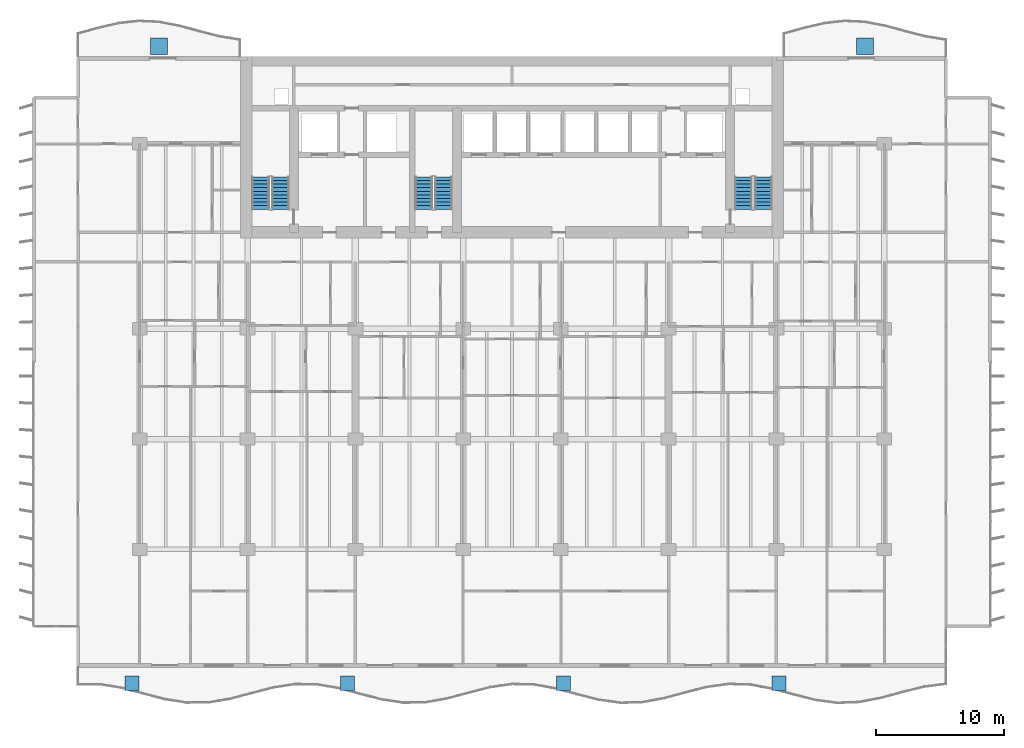
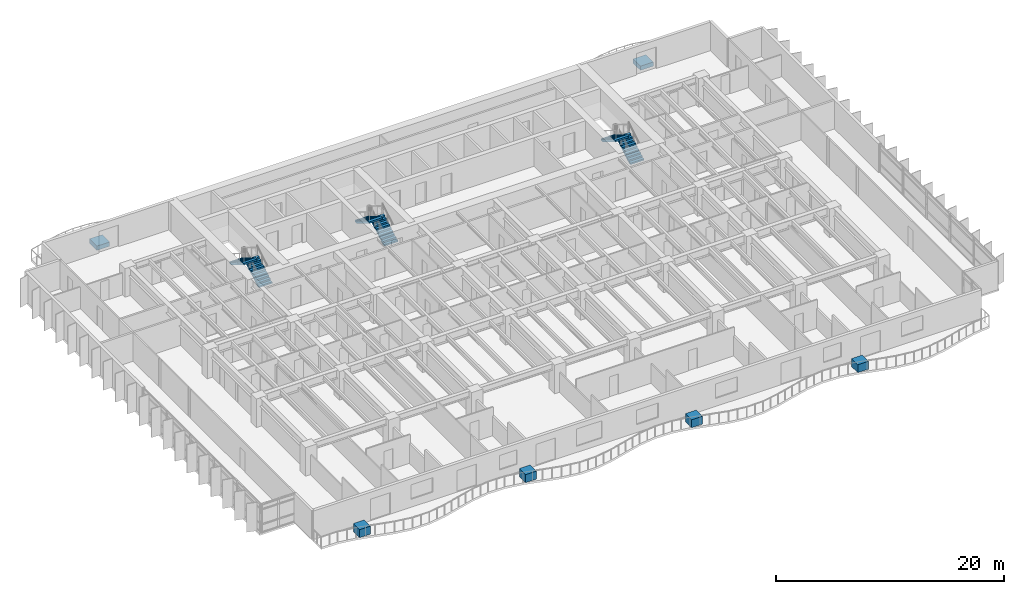
# One storey, part 13 of 17: 6 discrete accessories, 6 stair flights, 3 elements without a shape of their own.
"""IFC4 building model written with IfcOpenShell, lengths in metres."""

from ifc_helpers import new_model, si_unit, direction, frame, origin, origin_2d, place, context, subcontext, project, spatial, polyline, rectangle, outline, extrude, material, type_object, element, aggregate, save


model = new_model("IFC4")

# Units and contexts
model_context = context("Model", 3, precision=1e-05, world=origin(), true_north=direction((0.0, 1.0)))
body_context = subcontext(model_context, "Body", "Model", "MODEL_VIEW")
ifc_project = project(units=[si_unit("LENGTHUNIT", "METRE"), si_unit("AREAUNIT", "SQUARE_METRE"), si_unit("VOLUMEUNIT", "CUBIC_METRE"), si_unit("PLANEANGLEUNIT", "RADIAN"), si_unit("MASSUNIT", "GRAM", prefix="KILO")], contexts=[model_context])

# Site, building, storey
site_placement = place(None, origin())
site = spatial("IfcSite", under=ifc_project, at=site_placement, CompositionType="ELEMENT")
building_placement = place(site_placement, origin())
building = spatial("IfcBuilding", under=site, at=building_placement, Name="Caelmar Bay Residences", CompositionType="ELEMENT")
storey_placement = place(building_placement, frame((0.0, 0.0, 53.10009765625)))
storey = spatial("IfcBuildingStorey", under=building, at=storey_placement, Name="L13", CompositionType="ELEMENT", Elevation=53.10009765625)

# Stair, stair flights
ifc_material_1 = material(Name="Concrete f'c 40 MPa (6,000 psi)", Category="concrete")
stair_type = type_object("IfcStairType", Name="ST-TYP-165", PredefinedType="HALF_TURN_STAIR", material=ifc_material_1)
stair_1_placement = place(storey_placement, origin())
stair_1 = element("IfcStair", 1, at=stair_1_placement, inside=storey, type_object=stair_type, Name="L13 West Smokeproof Exit Stair ST1", PredefinedType="HALF_TURN_STAIR")
stair_flight_type = type_object("IfcStairFlightType", Name="STF-1350", PredefinedType="STRAIGHT", material=ifc_material_1)
stair_flight_1_placement = place(storey_placement, frame((20.875, 38.699951171875, 0.0), z_axis=(0.0, 0.0, 1.0), x_axis=(0.0, 1.0, 0.0)))
stair_flight_1 = element("IfcStairFlight", 2, at=stair_flight_1_placement, type_object=stair_flight_type, Name="ST1 flight 1", NumberOfRisers=10, NumberOfTreads=9, PredefinedType="STRAIGHT", RiserHeight=0.165, TreadLength=0.28, context=body_context, shape_type="SweptSolid", body=[
    extrude(outline(polyline([(0.0, 0.0), (0.0, 0.1650390625), (0.280029296875, 0.1650390625), (0.280029296875, 0.330078125), (0.56005859375, 0.330078125), (0.56005859375, 0.4951171875), (0.840087890625, 0.4951171875), (0.840087890625, 0.659912109375), (1.1201171875, 0.659912109375), (1.1201171875, 0.824951171875), (1.39990234375, 0.824951171875), (1.39990234375, 0.989990234375), (1.679931640625, 0.989990234375), (1.679931640625, 1.155029296875), (1.9599609375, 1.155029296875), (1.9599609375, 1.320068359375), (2.239990234375, 1.320068359375), (2.239990234375, 1.485107421875), (2.52001953125, 1.485107421875), (2.52001953125, 1.64990234375), (2.52001953125, 1.31103515625), (0.295166015625, 0.0), (0.0, 0.0)])), frame((0.0, 0.675048828125, 0.0), z_axis=(0.0, -1.0, 0.0), x_axis=(1.0, 0.0, 0.0)), (0.0, 0.0, 1.0), 1.35009765625),
])
stair_flight_2_placement = place(storey_placement, frame((19.324951171875, 41.219970703125, 1.64990234375), z_axis=(0.0, 0.0, 1.0), x_axis=(0.0, -1.0, 0.0)))
stair_flight_2 = element("IfcStairFlight", 3, at=stair_flight_2_placement, type_object=stair_flight_type, Name="ST1 flight 2", NumberOfRisers=10, NumberOfTreads=9, PredefinedType="STRAIGHT", RiserHeight=0.165, TreadLength=0.28, context=body_context, shape_type="SweptSolid", body=[
    extrude(outline(polyline([(0.0, 0.0), (0.0, 0.1650390625), (0.280029296875, 0.1650390625), (0.280029296875, 0.330078125), (0.56005859375, 0.330078125), (0.56005859375, 0.4951171875), (0.840087890625, 0.4951171875), (0.840087890625, 0.659912109375), (1.1201171875, 0.659912109375), (1.1201171875, 0.824951171875), (1.39990234375, 0.824951171875), (1.39990234375, 0.989990234375), (1.679931640625, 0.989990234375), (1.679931640625, 1.155029296875), (1.9599609375, 1.155029296875), (1.9599609375, 1.320068359375), (2.239990234375, 1.320068359375), (2.239990234375, 1.485107421875), (2.52001953125, 1.485107421875), (2.52001953125, 1.64990234375), (2.52001953125, 1.31103515625), (0.295166015625, 0.0), (0.0, 0.0)])), frame((0.0, 0.675048828125, 0.0), z_axis=(0.0, -1.0, 0.0), x_axis=(1.0, 0.0, 0.0)), (0.0, 0.0, 1.0), 1.35009765625),
])
aggregate(stair_1, [stair_flight_1, stair_flight_2])

stair_2_placement = place(storey_placement, origin())
stair_2 = element("IfcStair", 4, at=stair_2_placement, inside=storey, type_object=stair_type, Name="L13 East Smokeproof Exit Stair ST2", PredefinedType="HALF_TURN_STAIR")
stair_flight_3_placement = place(storey_placement, frame((58.47509765625, 38.699951171875, 0.0), z_axis=(0.0, 0.0, 1.0), x_axis=(0.0, 1.0, 0.0)))
stair_flight_3 = element("IfcStairFlight", 5, at=stair_flight_3_placement, type_object=stair_flight_type, Name="ST2 flight 1", NumberOfRisers=10, NumberOfTreads=9, PredefinedType="STRAIGHT", RiserHeight=0.165, TreadLength=0.28, context=body_context, shape_type="SweptSolid", body=[
    extrude(outline(polyline([(0.0, 0.0), (0.0, 0.1650390625), (0.280029296875, 0.1650390625), (0.280029296875, 0.330078125), (0.56005859375, 0.330078125), (0.56005859375, 0.4951171875), (0.840087890625, 0.4951171875), (0.840087890625, 0.659912109375), (1.1201171875, 0.659912109375), (1.1201171875, 0.824951171875), (1.39990234375, 0.824951171875), (1.39990234375, 0.989990234375), (1.679931640625, 0.989990234375), (1.679931640625, 1.155029296875), (1.9599609375, 1.155029296875), (1.9599609375, 1.320068359375), (2.239990234375, 1.320068359375), (2.239990234375, 1.485107421875), (2.52001953125, 1.485107421875), (2.52001953125, 1.64990234375), (2.52001953125, 1.31103515625), (0.295166015625, 0.0), (0.0, 0.0)])), frame((0.0, 0.675048828125, 0.0), z_axis=(0.0, -1.0, 0.0), x_axis=(1.0, 0.0, 0.0)), (0.0, 0.0, 1.0), 1.35009765625),
])
stair_flight_4_placement = place(storey_placement, frame((56.925048828125, 41.219970703125, 1.64990234375), z_axis=(0.0, 0.0, 1.0), x_axis=(0.0, -1.0, 0.0)))
stair_flight_4 = element("IfcStairFlight", 6, at=stair_flight_4_placement, type_object=stair_flight_type, Name="ST2 flight 2", NumberOfRisers=10, NumberOfTreads=9, PredefinedType="STRAIGHT", RiserHeight=0.165, TreadLength=0.28, context=body_context, shape_type="SweptSolid", body=[
    extrude(outline(polyline([(0.0, 0.0), (0.0, 0.1650390625), (0.280029296875, 0.1650390625), (0.280029296875, 0.330078125), (0.56005859375, 0.330078125), (0.56005859375, 0.4951171875), (0.840087890625, 0.4951171875), (0.840087890625, 0.659912109375), (1.1201171875, 0.659912109375), (1.1201171875, 0.824951171875), (1.39990234375, 0.824951171875), (1.39990234375, 0.989990234375), (1.679931640625, 0.989990234375), (1.679931640625, 1.155029296875), (1.9599609375, 1.155029296875), (1.9599609375, 1.320068359375), (2.239990234375, 1.320068359375), (2.239990234375, 1.485107421875), (2.52001953125, 1.485107421875), (2.52001953125, 1.64990234375), (2.52001953125, 1.31103515625), (0.295166015625, 0.0), (0.0, 0.0)])), frame((0.0, 0.675048828125, 0.0), z_axis=(0.0, -1.0, 0.0), x_axis=(1.0, 0.0, 0.0)), (0.0, 0.0, 1.0), 1.35009765625),
])
aggregate(stair_2, [stair_flight_3, stair_flight_4])

stair_3_placement = place(storey_placement, origin())
stair_3 = element("IfcStair", 7, at=stair_3_placement, inside=storey, type_object=stair_type, Name="L13 Central Smokeproof Exit Stair ST3", PredefinedType="HALF_TURN_STAIR")
stair_flight_5_placement = place(storey_placement, frame((33.574951171875, 38.699951171875, 0.0), z_axis=(0.0, 0.0, 1.0), x_axis=(0.0, 1.0, 0.0)))
stair_flight_5 = element("IfcStairFlight", 8, at=stair_flight_5_placement, type_object=stair_flight_type, Name="ST3 flight 1", NumberOfRisers=10, NumberOfTreads=9, PredefinedType="STRAIGHT", RiserHeight=0.165, TreadLength=0.28, context=body_context, shape_type="SweptSolid", body=[
    extrude(outline(polyline([(0.0, 0.0), (0.0, 0.1650390625), (0.280029296875, 0.1650390625), (0.280029296875, 0.330078125), (0.56005859375, 0.330078125), (0.56005859375, 0.4951171875), (0.840087890625, 0.4951171875), (0.840087890625, 0.659912109375), (1.1201171875, 0.659912109375), (1.1201171875, 0.824951171875), (1.39990234375, 0.824951171875), (1.39990234375, 0.989990234375), (1.679931640625, 0.989990234375), (1.679931640625, 1.155029296875), (1.9599609375, 1.155029296875), (1.9599609375, 1.320068359375), (2.239990234375, 1.320068359375), (2.239990234375, 1.485107421875), (2.52001953125, 1.485107421875), (2.52001953125, 1.64990234375), (2.52001953125, 1.31103515625), (0.295166015625, 0.0), (0.0, 0.0)])), frame((0.0, 0.675048828125, 0.0), z_axis=(0.0, -1.0, 0.0), x_axis=(1.0, 0.0, 0.0)), (0.0, 0.0, 1.0), 1.35009765625),
])
stair_flight_6_placement = place(storey_placement, frame((32.02490234375, 41.219970703125, 1.64990234375), z_axis=(0.0, 0.0, 1.0), x_axis=(0.0, -1.0, 0.0)))
stair_flight_6 = element("IfcStairFlight", 9, at=stair_flight_6_placement, type_object=stair_flight_type, Name="ST3 flight 2", NumberOfRisers=10, NumberOfTreads=9, PredefinedType="STRAIGHT", RiserHeight=0.165, TreadLength=0.28, context=body_context, shape_type="SweptSolid", body=[
    extrude(outline(polyline([(0.0, 0.0), (0.0, 0.1650390625), (0.280029296875, 0.1650390625), (0.280029296875, 0.330078125), (0.56005859375, 0.330078125), (0.56005859375, 0.4951171875), (0.840087890625, 0.4951171875), (0.840087890625, 0.659912109375), (1.1201171875, 0.659912109375), (1.1201171875, 0.824951171875), (1.39990234375, 0.824951171875), (1.39990234375, 0.989990234375), (1.679931640625, 0.989990234375), (1.679931640625, 1.155029296875), (1.9599609375, 1.155029296875), (1.9599609375, 1.320068359375), (2.239990234375, 1.320068359375), (2.239990234375, 1.485107421875), (2.52001953125, 1.485107421875), (2.52001953125, 1.64990234375), (2.52001953125, 1.31103515625), (0.295166015625, 0.0), (0.0, 0.0)])), frame((0.0, 0.675048828125, 0.0), z_axis=(0.0, -1.0, 0.0), x_axis=(1.0, 0.0, 0.0)), (0.0, 0.0, 1.0), 1.35009765625),
])
aggregate(stair_3, [stair_flight_5, stair_flight_6])

# Discrete accessories
ifc_material_2 = material(Name="Architectural bronze GRC planter trough with volcanic-lapilli substrate")
discrete_accessory_type_1 = type_object("IfcDiscreteAccessoryType", Name="ACC-PLANTER-1100", PredefinedType="USERDEFINED", material=ifc_material_2)
for number, where, z_axis, x_axis, name in (
    (10, (9.300048828125, 1.78173828125, -0.000244140625), (0.0, 0.0, 1.0), (1.0, 0.0, 0.0), "L13 Balcony Structural Tree Planter 1"),
    (11, (26.10009765625, 1.78173828125, -0.000244140625), (0.0, 0.0, 1.0), (1.0, 0.0, 0.0), "L13 Balcony Structural Tree Planter 2"),
    (12, (42.89990234375, 1.78173828125, -0.000244140625), (0.0, 0.0, 1.0), (1.0, 0.0, 0.0), "L13 Balcony Structural Tree Planter 3"),
    (13, (59.699951171875, 1.78173828125, -0.000244140625), (0.0, 0.0, 1.0), (1.0, 0.0, 0.0), "L13 Balcony Structural Tree Planter 4"),
):
    element("IfcDiscreteAccessory", number, at=place(storey_placement, frame(where, z_axis=z_axis, x_axis=x_axis)), inside=storey, type_object=discrete_accessory_type_1, Name=name, ObjectType="PLANTER", PredefinedType="USERDEFINED", context=body_context, shape_type="SweptSolid", body=[
        extrude(rectangle(XDim=1.10009765625, YDim=1.10009765625, at=origin_2d()), origin(), (0.0, 0.0, 1.0), 0.85009765625),
    ])
ifc_material_3 = material(Name="Precast concrete f'c 40 MPa (6,000 psi)", Category="concrete")
discrete_accessory_type_2 = type_object("IfcDiscreteAccessoryType", Name="STR-PLANTER-KERB-450", PredefinedType="USERDEFINED", material=ifc_material_3)
for number, where, z_axis, x_axis, name in (
    (14, (11.39990234375, 51.39990234375, 0.0), (0.0, 0.0, 1.0), (1.0, 0.0, 0.0), "L13 north_west Structural Tree Planter Kerb"),
    (15, (66.39990234375, 51.39990234375, 0.0), (0.0, 0.0, 1.0), (1.0, 0.0, 0.0), "L13 north_east Structural Tree Planter Kerb"),
):
    element("IfcDiscreteAccessory", number, at=place(storey_placement, frame(where, z_axis=z_axis, x_axis=x_axis)), inside=storey, type_object=discrete_accessory_type_2, Name=name, ObjectType="PLANTER", PredefinedType="USERDEFINED", context=body_context, shape_type="SweptSolid", body=[
        extrude(rectangle(XDim=1.300048828125, YDim=1.300048828125, at=origin_2d()), origin(), (0.0, 0.0, 1.0), 0.449951171875),
    ])

save(model, "model.ifc")
